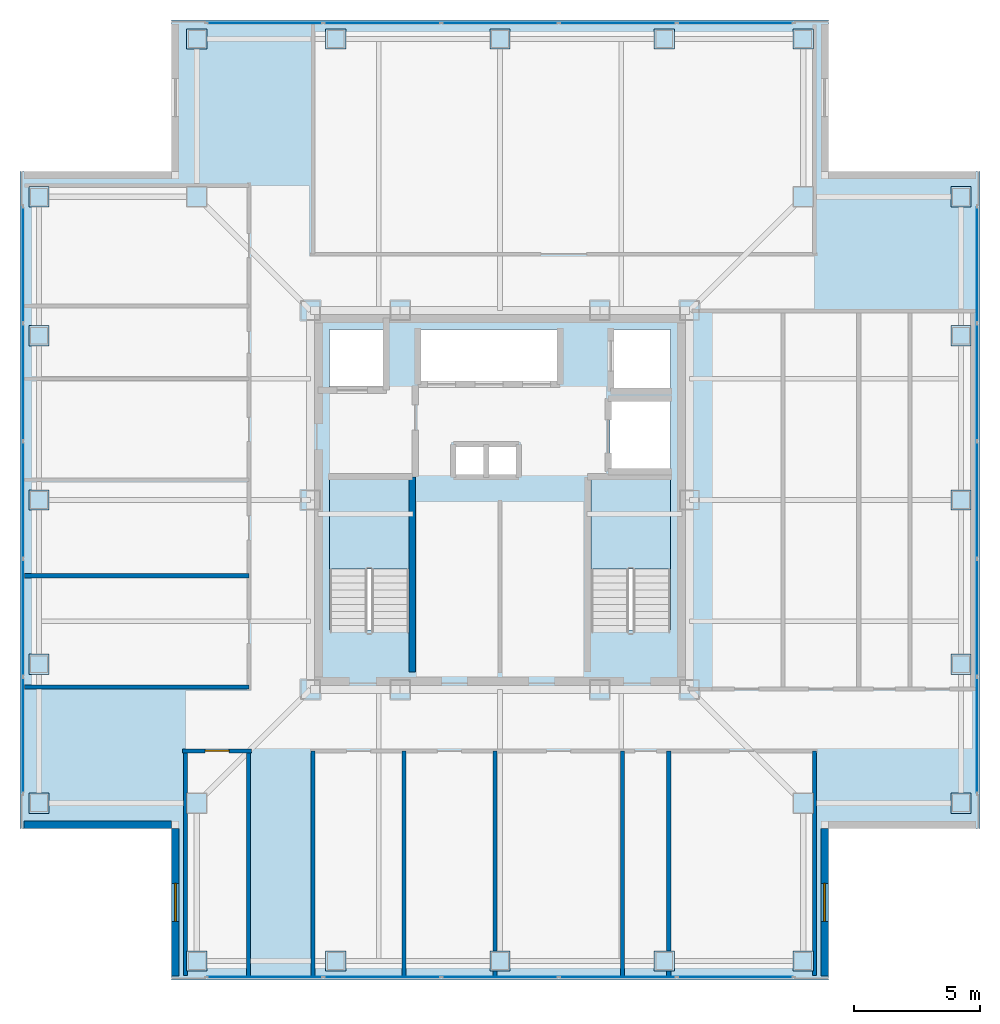
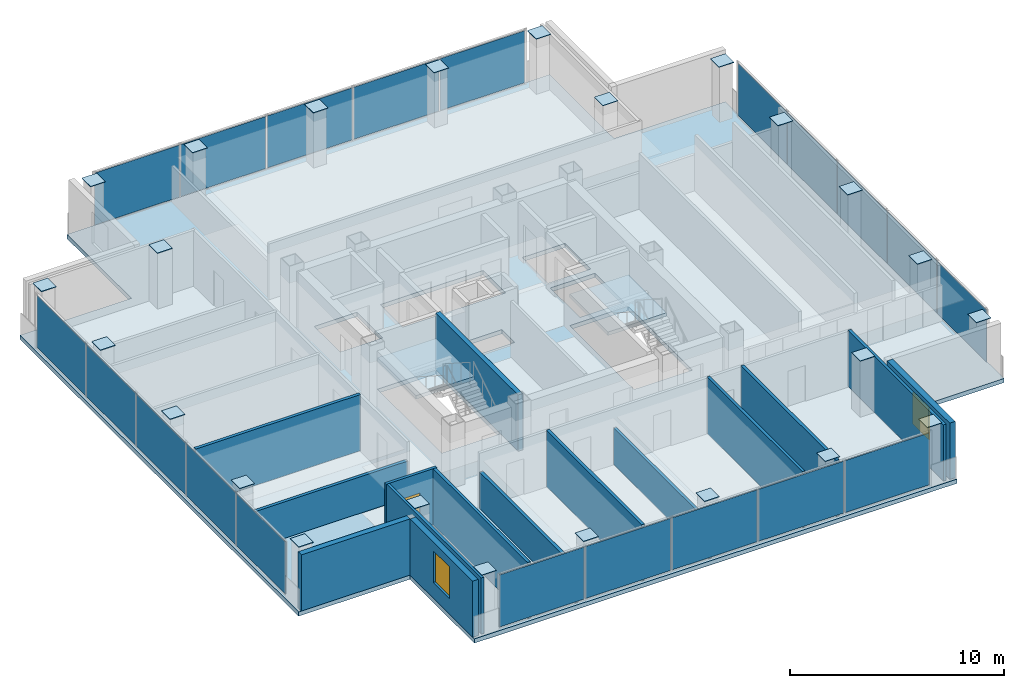
# One storey, part 8 of 16: 44 plates, 15 walls, 3 slabs, 2 windows, 1 door, 3 openings, 6 elements without a shape of their own.
"""IFC4 building model written with IfcOpenShell, lengths in metres."""

from ifc_helpers import new_model, si_unit, direction, frame, frame_2d, origin, origin_2d, place, context, subcontext, project, spatial, polyline, rectangle, outline, extrude, material, layer, layer_set, type_object, element, fill, aggregate, save


model = new_model("IFC4")

# Units and contexts
model_context = context("Model", 3, precision=1e-05, world=origin(), true_north=direction((0.0, 1.0)))
body_context = subcontext(model_context, "Body", "Model", "MODEL_VIEW")
ifc_project = project(units=[si_unit("LENGTHUNIT", "METRE"), si_unit("AREAUNIT", "SQUARE_METRE"), si_unit("VOLUMEUNIT", "CUBIC_METRE"), si_unit("PLANEANGLEUNIT", "RADIAN"), si_unit("MASSUNIT", "GRAM", prefix="KILO")], contexts=[model_context])

# Site, building, storey
site_placement = place(None, origin())
site = spatial("IfcSite", under=ifc_project, at=site_placement, CompositionType="ELEMENT")
building_placement = place(site_placement, origin())
building = spatial("IfcBuilding", under=site, at=building_placement, Name="Trevonay Congress Spire", CompositionType="ELEMENT")
storey_placement = place(building_placement, frame((0.0, 0.0, 297.199951171875)))
storey = spatial("IfcBuildingStorey", under=building, at=storey_placement, Name="L78", CompositionType="ELEMENT", Elevation=297.199951171875)

# Curtain wall, plates
ifc_material_1 = material(Name="Pale Anodised Aluminium EN AW-6063-T6", Category="aluminium")
ifc_layer_1 = layer(ifc_material_1, 0.1650390625, Name="Pale Anodised Aluminium EN AW-6063-T6")
ifc_layer_set_1 = layer_set([ifc_layer_1], Name="Pale Anodised Aluminium EN AW-6063-T6")
curtain_wall_type = type_object("IfcCurtainWallType", Name="CW-SYS05-DIPLOM-PALE-METAL", PredefinedType="NOTDEFINED", material=ifc_layer_set_1)
curtain_wall_1_placement = place(storey_placement, origin())
curtain_wall_1 = element("IfcCurtainWall", 1, at=curtain_wall_1_placement, inside=storey, type_object=curtain_wall_type, Name="L78 S unitised curtain wall", PredefinedType="NOTDEFINED")
ifc_material_2 = material(Name="Insulated Low-E Vision Glass IGU", Category="glass")
ifc_layer_2 = layer(ifc_material_2, 0.035888671875, Name="Insulated Low-E Vision Glass IGU")
ifc_layer_set_2 = layer_set([ifc_layer_2], Name="Insulated Low-E Vision Glass IGU")
plate_type_1 = type_object("IfcPlateType", Name="CW-PANEL-IGU36-SILVER", PredefinedType="CURTAIN_PANEL", material=ifc_layer_set_2)
plate_1_placement = place(storey_placement, frame((-9.304931640625, -18.8798828125, 0.1201171875), z_axis=(0.0, 0.0, 1.0), x_axis=(1.0, 0.0, 0.0)))
plate_1 = element("IfcPlate", 2, at=plate_1_placement, type_object=plate_type_1, Name="CW05 panel 1.1", PredefinedType="CURTAIN_PANEL", context=body_context, shape_type="SweptSolid", body=[
    extrude(rectangle(XDim=4.570068359375, YDim=0.035888671875, at=origin_2d()), origin(), (0.0, 0.0, 1.0), 2.9599609375),
])
plate_2_placement = place(storey_placement, frame((-4.659912109375, -18.8798828125, 0.1201171875), z_axis=(0.0, 0.0, 1.0), x_axis=(1.0, 0.0, 0.0)))
plate_2 = element("IfcPlate", 3, at=plate_2_placement, type_object=plate_type_1, Name="CW05 panel 2.1", PredefinedType="CURTAIN_PANEL", context=body_context, shape_type="SweptSolid", body=[
    extrude(rectangle(XDim=4.60009765625, YDim=0.035888671875, at=origin_2d()), origin(), (0.0, 0.0, 1.0), 2.9599609375),
])
plate_3_placement = place(storey_placement, frame((0.0, -18.8798828125, 0.1201171875), z_axis=(0.0, 0.0, 1.0), x_axis=(1.0, 0.0, 0.0)))
plate_3 = element("IfcPlate", 4, at=plate_3_placement, type_object=plate_type_1, Name="CW05 panel 3.1", PredefinedType="CURTAIN_PANEL", context=body_context, shape_type="SweptSolid", body=[
    extrude(rectangle(XDim=4.60009765625, YDim=0.035888671875, at=origin_2d()), origin(), (0.0, 0.0, 1.0), 2.9599609375),
])
plate_4_placement = place(storey_placement, frame((4.659912109375, -18.8798828125, 0.1201171875), z_axis=(0.0, 0.0, 1.0), x_axis=(1.0, 0.0, 0.0)))
plate_4 = element("IfcPlate", 5, at=plate_4_placement, type_object=plate_type_1, Name="CW05 panel 4.1", PredefinedType="CURTAIN_PANEL", context=body_context, shape_type="SweptSolid", body=[
    extrude(rectangle(XDim=4.60009765625, YDim=0.035888671875, at=origin_2d()), origin(), (0.0, 0.0, 1.0), 2.9599609375),
])
plate_5_placement = place(storey_placement, frame((9.304931640625, -18.8798828125, 0.1201171875), z_axis=(0.0, 0.0, 1.0), x_axis=(1.0, 0.0, 0.0)))
plate_5 = element("IfcPlate", 6, at=plate_5_placement, type_object=plate_type_1, Name="CW05 panel 5.1", PredefinedType="CURTAIN_PANEL", context=body_context, shape_type="SweptSolid", body=[
    extrude(rectangle(XDim=4.570068359375, YDim=0.035888671875, at=origin_2d()), origin(), (0.0, 0.0, 1.0), 2.9599609375),
])
aggregate(curtain_wall_1, [plate_1, plate_2, plate_3, plate_4, plate_5])

curtain_wall_2_placement = place(storey_placement, origin())
curtain_wall_2 = element("IfcCurtainWall", 7, at=curtain_wall_2_placement, inside=storey, type_object=curtain_wall_type, Name="L78 N unitised curtain wall", PredefinedType="NOTDEFINED")
plate_6_placement = place(storey_placement, frame((-9.304931640625, 18.8798828125, 0.1201171875), z_axis=(0.0, 0.0, 1.0), x_axis=(1.0, 0.0, 0.0)))
plate_6 = element("IfcPlate", 8, at=plate_6_placement, type_object=plate_type_1, Name="CW05 panel 1.1", PredefinedType="CURTAIN_PANEL", context=body_context, shape_type="SweptSolid", body=[
    extrude(rectangle(XDim=4.570068359375, YDim=0.035888671875, at=origin_2d()), origin(), (0.0, 0.0, 1.0), 2.9599609375),
])
plate_7_placement = place(storey_placement, frame((-4.659912109375, 18.8798828125, 0.1201171875), z_axis=(0.0, 0.0, 1.0), x_axis=(1.0, 0.0, 0.0)))
plate_7 = element("IfcPlate", 9, at=plate_7_placement, type_object=plate_type_1, Name="CW05 panel 2.1", PredefinedType="CURTAIN_PANEL", context=body_context, shape_type="SweptSolid", body=[
    extrude(rectangle(XDim=4.60009765625, YDim=0.035888671875, at=origin_2d()), origin(), (0.0, 0.0, 1.0), 2.9599609375),
])
plate_8_placement = place(storey_placement, frame((0.0, 18.8798828125, 0.1201171875), z_axis=(0.0, 0.0, 1.0), x_axis=(1.0, 0.0, 0.0)))
plate_8 = element("IfcPlate", 10, at=plate_8_placement, type_object=plate_type_1, Name="CW05 panel 3.1", PredefinedType="CURTAIN_PANEL", context=body_context, shape_type="SweptSolid", body=[
    extrude(rectangle(XDim=4.60009765625, YDim=0.035888671875, at=origin_2d()), origin(), (0.0, 0.0, 1.0), 2.9599609375),
])
plate_9_placement = place(storey_placement, frame((4.659912109375, 18.8798828125, 0.1201171875), z_axis=(0.0, 0.0, 1.0), x_axis=(1.0, 0.0, 0.0)))
plate_9 = element("IfcPlate", 11, at=plate_9_placement, type_object=plate_type_1, Name="CW05 panel 4.1", PredefinedType="CURTAIN_PANEL", context=body_context, shape_type="SweptSolid", body=[
    extrude(rectangle(XDim=4.60009765625, YDim=0.035888671875, at=origin_2d()), origin(), (0.0, 0.0, 1.0), 2.9599609375),
])
plate_10_placement = place(storey_placement, frame((9.304931640625, 18.8798828125, 0.1201171875), z_axis=(0.0, 0.0, 1.0), x_axis=(1.0, 0.0, 0.0)))
plate_10 = element("IfcPlate", 12, at=plate_10_placement, type_object=plate_type_1, Name="CW05 panel 5.1", PredefinedType="CURTAIN_PANEL", context=body_context, shape_type="SweptSolid", body=[
    extrude(rectangle(XDim=4.570068359375, YDim=0.035888671875, at=origin_2d()), origin(), (0.0, 0.0, 1.0), 2.9599609375),
])
aggregate(curtain_wall_2, [plate_6, plate_7, plate_8, plate_9, plate_10])

curtain_wall_3_placement = place(storey_placement, origin())
curtain_wall_3 = element("IfcCurtainWall", 13, at=curtain_wall_3_placement, inside=storey, type_object=curtain_wall_type, Name="L78 W unitised curtain wall", PredefinedType="NOTDEFINED")
plate_11_placement = place(storey_placement, frame((-18.8798828125, -9.304931640625, 0.1201171875), z_axis=(0.0, 0.0, 1.0), x_axis=(0.0, 1.0, 0.0)))
plate_11 = element("IfcPlate", 14, at=plate_11_placement, type_object=plate_type_1, Name="CW05 panel 1.1", PredefinedType="CURTAIN_PANEL", context=body_context, shape_type="SweptSolid", body=[
    extrude(rectangle(XDim=4.570068359375, YDim=0.035888671875, at=origin_2d()), origin(), (0.0, 0.0, 1.0), 2.9599609375),
])
plate_12_placement = place(storey_placement, frame((-18.8798828125, -4.659912109375, 0.1201171875), z_axis=(0.0, 0.0, 1.0), x_axis=(0.0, 1.0, 0.0)))
plate_12 = element("IfcPlate", 15, at=plate_12_placement, type_object=plate_type_1, Name="CW05 panel 2.1", PredefinedType="CURTAIN_PANEL", context=body_context, shape_type="SweptSolid", body=[
    extrude(rectangle(XDim=4.60009765625, YDim=0.035888671875, at=origin_2d()), origin(), (0.0, 0.0, 1.0), 2.9599609375),
])
plate_13_placement = place(storey_placement, frame((-18.8798828125, 0.0, 0.1201171875), z_axis=(0.0, 0.0, 1.0), x_axis=(0.0, 1.0, 0.0)))
plate_13 = element("IfcPlate", 16, at=plate_13_placement, type_object=plate_type_1, Name="CW05 panel 3.1", PredefinedType="CURTAIN_PANEL", context=body_context, shape_type="SweptSolid", body=[
    extrude(rectangle(XDim=4.60009765625, YDim=0.035888671875, at=origin_2d()), origin(), (0.0, 0.0, 1.0), 2.9599609375),
])
plate_14_placement = place(storey_placement, frame((-18.8798828125, 4.659912109375, 0.1201171875), z_axis=(0.0, 0.0, 1.0), x_axis=(0.0, 1.0, 0.0)))
plate_14 = element("IfcPlate", 17, at=plate_14_placement, type_object=plate_type_1, Name="CW05 panel 4.1", PredefinedType="CURTAIN_PANEL", context=body_context, shape_type="SweptSolid", body=[
    extrude(rectangle(XDim=4.60009765625, YDim=0.035888671875, at=origin_2d()), origin(), (0.0, 0.0, 1.0), 2.9599609375),
])
plate_15_placement = place(storey_placement, frame((-18.8798828125, 9.304931640625, 0.1201171875), z_axis=(0.0, 0.0, 1.0), x_axis=(0.0, 1.0, 0.0)))
plate_15 = element("IfcPlate", 18, at=plate_15_placement, type_object=plate_type_1, Name="CW05 panel 5.1", PredefinedType="CURTAIN_PANEL", context=body_context, shape_type="SweptSolid", body=[
    extrude(rectangle(XDim=4.570068359375, YDim=0.035888671875, at=origin_2d()), origin(), (0.0, 0.0, 1.0), 2.9599609375),
])
aggregate(curtain_wall_3, [plate_11, plate_12, plate_13, plate_14, plate_15])

curtain_wall_4_placement = place(storey_placement, origin())
curtain_wall_4 = element("IfcCurtainWall", 19, at=curtain_wall_4_placement, inside=storey, type_object=curtain_wall_type, Name="L78 E unitised curtain wall", PredefinedType="NOTDEFINED")
plate_16_placement = place(storey_placement, frame((18.8798828125, -9.304931640625, 0.1201171875), z_axis=(0.0, 0.0, 1.0), x_axis=(0.0, 1.0, 0.0)))
plate_16 = element("IfcPlate", 20, at=plate_16_placement, type_object=plate_type_1, Name="CW05 panel 1.1", PredefinedType="CURTAIN_PANEL", context=body_context, shape_type="SweptSolid", body=[
    extrude(rectangle(XDim=4.570068359375, YDim=0.035888671875, at=origin_2d()), origin(), (0.0, 0.0, 1.0), 2.9599609375),
])
plate_17_placement = place(storey_placement, frame((18.8798828125, -4.659912109375, 0.1201171875), z_axis=(0.0, 0.0, 1.0), x_axis=(0.0, 1.0, 0.0)))
plate_17 = element("IfcPlate", 21, at=plate_17_placement, type_object=plate_type_1, Name="CW05 panel 2.1", PredefinedType="CURTAIN_PANEL", context=body_context, shape_type="SweptSolid", body=[
    extrude(rectangle(XDim=4.60009765625, YDim=0.035888671875, at=origin_2d()), origin(), (0.0, 0.0, 1.0), 2.9599609375),
])
plate_18_placement = place(storey_placement, frame((18.8798828125, 0.0, 0.1201171875), z_axis=(0.0, 0.0, 1.0), x_axis=(0.0, 1.0, 0.0)))
plate_18 = element("IfcPlate", 22, at=plate_18_placement, type_object=plate_type_1, Name="CW05 panel 3.1", PredefinedType="CURTAIN_PANEL", context=body_context, shape_type="SweptSolid", body=[
    extrude(rectangle(XDim=4.60009765625, YDim=0.035888671875, at=origin_2d()), origin(), (0.0, 0.0, 1.0), 2.9599609375),
])
plate_19_placement = place(storey_placement, frame((18.8798828125, 4.659912109375, 0.1201171875), z_axis=(0.0, 0.0, 1.0), x_axis=(0.0, 1.0, 0.0)))
plate_19 = element("IfcPlate", 23, at=plate_19_placement, type_object=plate_type_1, Name="CW05 panel 4.1", PredefinedType="CURTAIN_PANEL", context=body_context, shape_type="SweptSolid", body=[
    extrude(rectangle(XDim=4.60009765625, YDim=0.035888671875, at=origin_2d()), origin(), (0.0, 0.0, 1.0), 2.9599609375),
])
plate_20_placement = place(storey_placement, frame((18.8798828125, 9.304931640625, 0.1201171875), z_axis=(0.0, 0.0, 1.0), x_axis=(0.0, 1.0, 0.0)))
plate_20 = element("IfcPlate", 24, at=plate_20_placement, type_object=plate_type_1, Name="CW05 panel 5.1", PredefinedType="CURTAIN_PANEL", context=body_context, shape_type="SweptSolid", body=[
    extrude(rectangle(XDim=4.570068359375, YDim=0.035888671875, at=origin_2d()), origin(), (0.0, 0.0, 1.0), 2.9599609375),
])
aggregate(curtain_wall_4, [plate_16, plate_17, plate_18, plate_19, plate_20])

# Plates
ifc_material_3 = material(Name="Steel ASTM A572 Grade 50", Category="steel")
ifc_layer_3 = layer(ifc_material_3, 0.030029296875, Name="Steel ASTM A572 Grade 50")
ifc_layer_set_3 = layer_set([ifc_layer_3], Name="Steel ASTM A572 Grade 50")
plate_type_2 = type_object("IfcPlateType", Name="PLT-ENDCAP-EXT-80", PredefinedType="USERDEFINED", material=ifc_layer_set_3)
for number, where, z_axis, x_axis, name in (
    (25, (-12.0, -18.25, 3.18505859375), (0.0, 0.0, 1.0), (1.0, 0.0, 0.0), "L78 hollow column end-cap plate at TS-1"),
    (26, (-12.0, 18.25, 3.18505859375), (0.0, 0.0, 1.0), (1.0, 0.0, 0.0), "L78 hollow column end-cap plate at TN-1"),
    (27, (-18.25, -12.0, 3.18505859375), (0.0, 0.0, 1.0), (1.0, 0.0, 0.0), "L78 hollow column end-cap plate at TW-1"),
    (28, (18.25, -12.0, 3.18505859375), (0.0, 0.0, 1.0), (1.0, 0.0, 0.0), "L78 hollow column end-cap plate at TE-1"),
    (29, (-6.5, -18.25, 3.18505859375), (0.0, 0.0, 1.0), (1.0, 0.0, 0.0), "L78 hollow column end-cap plate at TS-2"),
    (30, (-6.5, 18.25, 3.18505859375), (0.0, 0.0, 1.0), (1.0, 0.0, 0.0), "L78 hollow column end-cap plate at TN-2"),
    (31, (-18.25, -6.5, 3.18505859375), (0.0, 0.0, 1.0), (1.0, 0.0, 0.0), "L78 hollow column end-cap plate at TW-2"),
    (32, (18.25, -6.5, 3.18505859375), (0.0, 0.0, 1.0), (1.0, 0.0, 0.0), "L78 hollow column end-cap plate at TE-2"),
    (33, (0.0, -18.25, 3.18505859375), (0.0, 0.0, 1.0), (1.0, 0.0, 0.0), "L78 hollow column end-cap plate at TS-3"),
    (34, (0.0, 18.25, 3.18505859375), (0.0, 0.0, 1.0), (1.0, 0.0, 0.0), "L78 hollow column end-cap plate at TN-3"),
    (35, (-18.25, 0.0, 3.18505859375), (0.0, 0.0, 1.0), (1.0, 0.0, 0.0), "L78 hollow column end-cap plate at TW-3"),
    (36, (18.25, 0.0, 3.18505859375), (0.0, 0.0, 1.0), (1.0, 0.0, 0.0), "L78 hollow column end-cap plate at TE-3"),
    (37, (6.5, -18.25, 3.18505859375), (0.0, 0.0, 1.0), (1.0, 0.0, 0.0), "L78 hollow column end-cap plate at TS-4"),
    (38, (6.5, 18.25, 3.18505859375), (0.0, 0.0, 1.0), (1.0, 0.0, 0.0), "L78 hollow column end-cap plate at TN-4"),
    (39, (-18.25, 6.5, 3.18505859375), (0.0, 0.0, 1.0), (1.0, 0.0, 0.0), "L78 hollow column end-cap plate at TW-4"),
    (40, (18.25, 6.5, 3.18505859375), (0.0, 0.0, 1.0), (1.0, 0.0, 0.0), "L78 hollow column end-cap plate at TE-4"),
    (41, (12.0, -18.25, 3.18505859375), (0.0, 0.0, 1.0), (1.0, 0.0, 0.0), "L78 hollow column end-cap plate at TS-5"),
    (42, (12.0, 18.25, 3.18505859375), (0.0, 0.0, 1.0), (1.0, 0.0, 0.0), "L78 hollow column end-cap plate at TN-5"),
    (43, (-18.25, 12.0, 3.18505859375), (0.0, 0.0, 1.0), (1.0, 0.0, 0.0), "L78 hollow column end-cap plate at TW-5"),
    (44, (18.25, 12.0, 3.18505859375), (0.0, 0.0, 1.0), (1.0, 0.0, 0.0), "L78 hollow column end-cap plate at TE-5"),
    (45, (-12.0, -12.0, 3.18505859375), (0.0, 0.0, 1.0), (1.0, 0.0, 0.0), "L78 hollow column end-cap plate at NC-SW"),
    (46, (12.0, -12.0, 3.18505859375), (0.0, 0.0, 1.0), (1.0, 0.0, 0.0), "L78 hollow column end-cap plate at NC-SE"),
    (47, (12.0, 12.0, 3.18505859375), (0.0, 0.0, 1.0), (1.0, 0.0, 0.0), "L78 hollow column end-cap plate at NC-NE"),
    (48, (-12.0, 12.0, 3.18505859375), (0.0, 0.0, 1.0), (1.0, 0.0, 0.0), "L78 hollow column end-cap plate at NC-NW"),
):
    element("IfcPlate", number, at=place(storey_placement, frame(where, z_axis=z_axis, x_axis=x_axis)), inside=storey, type_object=plate_type_2, Name=name, ObjectType="CAP_PLATE", PredefinedType="USERDEFINED", context=body_context, shape_type="SweptSolid", body=[
        extrude(rectangle(XDim=0.800048828125, YDim=0.800048828125, at=origin_2d()), origin(), (0.0, 0.0, 1.0), 0.030029296875),
    ])

# Stair, slab
ifc_material_4 = material(Name="Concrete C40/50", Category="concrete")
stair_type_1 = type_object("IfcStairType", Name="STR-ST-1", PredefinedType="HALF_TURN_STAIR", material=ifc_material_4)
stair_1_placement = place(storey_placement, origin())
stair_1 = element("IfcStair", 49, at=stair_1_placement, inside=storey, type_object=stair_type_1, Name="L78 Protected Exit Stair ST-1", PredefinedType="HALF_TURN_STAIR")
ifc_layer_4 = layer(ifc_material_4, 0.199951171875, Name="Concrete C40/50")
ifc_layer_set_4 = layer_set([ifc_layer_4], Name="Concrete C40/50")
slab_type_1 = type_object("IfcSlabType", Name="SLB-STAIR-LAND-200", PredefinedType="LANDING", material=ifc_layer_set_4)
slab_1_placement = place(storey_placement, frame((0.0, 0.0, 1.60009765625)))
slab_1 = element("IfcSlab", 50, at=slab_1_placement, type_object=slab_type_1, Name="ST-1 landing 1", PredefinedType="LANDING", context=body_context, shape_type="SweptSolid", body=[
    extrude(outline(polyline([(-3.60009765625, -2.72998046875), (-3.60009765625, 0.85009765625), (-6.75, 0.85009765625), (-6.75, -2.72998046875), (-3.60009765625, -2.72998046875)])), origin(), (0.0, 0.0, 1.0), 0.199951171875),
])
aggregate(stair_1, [slab_1])

stair_type_2 = type_object("IfcStairType", Name="STR-ST-2", PredefinedType="HALF_TURN_STAIR", material=ifc_material_4)
stair_2_placement = place(storey_placement, origin())
stair_2 = element("IfcStair", 51, at=stair_2_placement, inside=storey, type_object=stair_type_2, Name="L78 Protected Exit Stair ST-2", PredefinedType="HALF_TURN_STAIR")
slab_2_placement = place(storey_placement, frame((0.0, 0.0, 1.60009765625)))
slab_2 = element("IfcSlab", 52, at=slab_2_placement, type_object=slab_type_1, Name="ST-2 landing 1", PredefinedType="LANDING", context=body_context, shape_type="SweptSolid", body=[
    extrude(outline(polyline([(6.75, -2.72998046875), (6.75, 0.85009765625), (3.60009765625, 0.85009765625), (3.60009765625, -2.72998046875), (6.75, -2.72998046875)])), origin(), (0.0, 0.0, 1.0), 0.199951171875),
])
aggregate(stair_2, [slab_2])

# Slab
ifc_layer_5 = layer(ifc_material_4, 0.239990234375, Name="Concrete C40/50")
ifc_layer_set_5 = layer_set([ifc_layer_5], Name="Concrete C40/50")
slab_type_2 = type_object("IfcSlabType", Name="SLB-TOW2-240", PredefinedType="FLOOR", material=ifc_layer_set_5)
slab_3_placement = place(storey_placement, frame((0.0, 0.0, -0.239990234375)))
element("IfcSlab", 53, at=slab_3_placement, inside=storey, type_object=slab_type_2, Name="L78 structural floor slab", PredefinedType="FLOOR", context=body_context, shape_type="SweptSolid", body=[
    extrude(outline(polyline([(-13.0, -19.0), (13.0, -19.0), (13.0, -13.0), (19.0, -13.0), (19.0, 13.0), (13.0, 13.0), (13.0, 19.0), (-13.0, 19.0), (-13.0, 13.0), (-19.0, 13.0), (-19.0, -13.0), (-13.0, -13.0), (-13.0, -19.0)]), holes=[polyline([(-3.60009765625, -5.14990234375), (-3.60009765625, 0.85009765625), (-6.75, 0.85009765625), (-6.75, -5.14990234375), (-3.60009765625, -5.14990234375)]), polyline([(6.75, -5.14990234375), (6.75, 0.85009765625), (3.60009765625, 0.85009765625), (3.60009765625, -5.14990234375), (6.75, -5.14990234375)]), polyline([(-3.199951171875, 4.64990234375), (2.340087890625, 4.64990234375), (2.340087890625, 6.75), (-3.199951171875, 6.75), (-3.199951171875, 4.64990234375)]), polyline([(-6.75, 4.35009765625), (-4.449951171875, 4.35009765625), (-4.449951171875, 6.75), (-6.75, 6.75), (-6.75, 4.35009765625)]), polyline([(4.449951171875, 4.35009765625), (6.75, 4.35009765625), (6.75, 6.75), (4.449951171875, 6.75), (4.449951171875, 4.35009765625)]), polyline([(4.35009765625, 1.199951171875), (6.75, 1.199951171875), (6.75, 3.949951171875), (4.35009765625, 3.949951171875), (4.35009765625, 1.199951171875)]), polyline([(-1.800048828125, 0.949951171875), (0.699951171875, 0.949951171875), (0.699951171875, 2.14990234375), (-1.800048828125, 2.14990234375), (-1.800048828125, 0.949951171875)])]), origin(), (0.0, 0.0, 1.0), 0.239990234375),
])

# Wall, opening, door
ifc_layer_6 = layer(ifc_material_4, 0.14990234375, Name="Concrete C40/50")
ifc_layer_set_6 = layer_set([ifc_layer_6], Name="Concrete C40/50")
wall_type_1 = type_object("IfcWallType", Name="WAL-CORR-150", PredefinedType="PARTITIONING", material=ifc_layer_set_6)
wall_1_placement = place(storey_placement, frame((-12.570068359375, -9.929931640625, 0.0), z_axis=(0.0, 0.0, 1.0), x_axis=(1.0, 0.0, 0.0)))
wall_1 = element("IfcWall", 54, at=wall_1_placement, inside=storey, type_object=wall_type_1, Name="L78 interior wall WP-L78SW-COR", PredefinedType="PARTITIONING", context=body_context, shape_type="SweptSolid", body=[
    extrude(rectangle(XDim=2.739990234375, YDim=0.14990234375, at=frame_2d((1.3701171875, 0.0))), origin(), (0.0, 0.0, 1.0), 3.199951171875),
])
opening_1_placement = place(wall_1_placement, frame((0.89501953125, 0.0, 0.0)))
opening_1 = element("IfcOpeningElement", 55, at=opening_1_placement, cuts=wall_1, Name="Opening D07", PredefinedType="OPENING", context=body_context, shape_type="SweptSolid", body=[
    extrude(rectangle(XDim=0.949951171875, YDim=2.06005859375, at=frame_2d((0.47509765625, 1.030029296875))), frame((0.0, 0.0849609375, 0.0), z_axis=(0.0, -1.0, 0.0), x_axis=(1.0, 0.0, 0.0)), (0.0, 0.0, 1.0), 0.169921875),
])
door_type = type_object("IfcDoorType", Name="DOR-OFFICE-95", OperationType="NOTDEFINED", PredefinedType="DOOR", material=ifc_material_1)
door_placement = place(opening_1_placement, origin())
door = element("IfcDoor", 56, at=door_placement, inside=storey, type_object=door_type, Name="L78 Sommelier Reserve Tasting Kitchen Door", OperationType="SINGLE_SWING_RIGHT", OverallHeight=2.06005859375, OverallWidth=0.949951171875, PredefinedType="DOOR", context=body_context, shape_type="SweptSolid", body=[
    extrude(rectangle(XDim=0.949951171875, YDim=2.06005859375, at=frame_2d((0.47509765625, 1.030029296875))), frame((0.0, 0.02490234375, 0.0), z_axis=(0.0, -1.0, 0.0), x_axis=(1.0, 0.0, 0.0)), (0.0, 0.0, 1.0), 0.050048828125),
])
fill(opening_1, door)

# Wall, opening, window
ifc_material_5 = material(Name="Precast concrete C40/50", Category="concrete")
ifc_layer_7 = layer(ifc_material_5, 0.300048828125, Name="Precast concrete C40/50")
ifc_layer_set_7 = layer_set([ifc_layer_7], Name="Precast concrete C40/50")
wall_type_2 = type_object("IfcWallType", Name="WAL-EXT-PRECAST-300", PredefinedType="SOLIDWALL", material=ifc_layer_set_7)
wall_2_placement = place(storey_placement, frame((-12.85009765625, -18.85009765625, 0.0), z_axis=(0.0, 0.0, 1.0), x_axis=(0.0, 1.0, 0.0)))
wall_2 = element("IfcWall", 57, at=wall_2_placement, inside=storey, type_object=wall_type_2, Name="L78 SW re-entrant notch exterior wall 1", PredefinedType="SOLIDWALL", context=body_context, shape_type="SweptSolid", body=[
    extrude(rectangle(XDim=5.85009765625, YDim=0.300048828125, at=frame_2d((2.925048828125, 0.0))), origin(), (0.0, 0.0, 1.0), 3.199951171875),
])
opening_2_placement = place(wall_2_placement, frame((2.175048828125, 0.0, 0.89990234375)))
opening_2 = element("IfcOpeningElement", 58, at=opening_2_placement, cuts=wall_2, Name="Opening WN03", PredefinedType="OPENING", context=body_context, shape_type="SweptSolid", body=[
    extrude(rectangle(XDim=1.5, YDim=1.800048828125, at=frame_2d((0.75, 0.89990234375))), frame((0.0, 0.16015625, 0.0), z_axis=(0.0, -1.0, 0.0), x_axis=(1.0, 0.0, 0.0)), (0.0, 0.0, 1.0), 0.320068359375),
])
window_type = type_object("IfcWindowType", Name="WIN-NOTCH-150X180", PartitioningType="SINGLE_PANEL", PredefinedType="WINDOW", material=ifc_material_2)
window_1_placement = place(opening_2_placement, origin())
window_1 = element("IfcWindow", 59, at=window_1_placement, inside=storey, type_object=window_type, Name="L78 SW corner notch window", OverallHeight=1.800048828125, OverallWidth=1.5, PartitioningType="SINGLE_PANEL", PredefinedType="WINDOW", context=body_context, shape_type="SweptSolid", body=[
    extrude(rectangle(XDim=1.5, YDim=1.800048828125, at=frame_2d((0.75, 0.89990234375))), frame((0.0, 0.030029296875, 0.0), z_axis=(0.0, -1.0, 0.0), x_axis=(1.0, 0.0, 0.0)), (0.0, 0.0, 1.0), 0.06005859375),
])
fill(opening_2, window_1)

# Wall
wall_3_placement = place(storey_placement, frame((-18.85009765625, -12.85009765625, 0.0), z_axis=(0.0, 0.0, 1.0), x_axis=(1.0, 0.0, 0.0)))
element("IfcWall", 60, at=wall_3_placement, inside=storey, type_object=wall_type_2, Name="L78 SW re-entrant notch exterior wall 2", PredefinedType="SOLIDWALL", context=body_context, shape_type="SweptSolid", body=[
    extrude(rectangle(XDim=5.85009765625, YDim=0.300048828125, at=frame_2d((2.925048828125, 0.0))), origin(), (0.0, 0.0, 1.0), 3.199951171875),
])

# Wall, opening, window
wall_4_placement = place(storey_placement, frame((12.85009765625, -18.85009765625, 0.0), z_axis=(0.0, 0.0, 1.0), x_axis=(0.0, 1.0, 0.0)))
wall_4 = element("IfcWall", 61, at=wall_4_placement, inside=storey, type_object=wall_type_2, Name="L78 SE re-entrant notch exterior wall 1", PredefinedType="SOLIDWALL", context=body_context, shape_type="SweptSolid", body=[
    extrude(rectangle(XDim=5.85009765625, YDim=0.300048828125, at=frame_2d((2.925048828125, 0.0))), origin(), (0.0, 0.0, 1.0), 3.199951171875),
])
opening_3_placement = place(wall_4_placement, frame((2.175048828125, 0.0, 0.89990234375)))
opening_3 = element("IfcOpeningElement", 62, at=opening_3_placement, cuts=wall_4, Name="Opening WN03", PredefinedType="OPENING", context=body_context, shape_type="SweptSolid", body=[
    extrude(rectangle(XDim=1.5, YDim=1.800048828125, at=frame_2d((0.75, 0.89990234375))), frame((0.0, 0.16015625, 0.0), z_axis=(0.0, -1.0, 0.0), x_axis=(1.0, 0.0, 0.0)), (0.0, 0.0, 1.0), 0.320068359375),
])
window_2_placement = place(opening_3_placement, origin())
window_2 = element("IfcWindow", 63, at=window_2_placement, inside=storey, type_object=window_type, Name="L78 SE corner notch window", OverallHeight=1.800048828125, OverallWidth=1.5, PartitioningType="SINGLE_PANEL", PredefinedType="WINDOW", context=body_context, shape_type="SweptSolid", body=[
    extrude(rectangle(XDim=1.5, YDim=1.800048828125, at=frame_2d((0.75, 0.89990234375))), frame((0.0, 0.030029296875, 0.0), z_axis=(0.0, -1.0, 0.0), x_axis=(1.0, 0.0, 0.0)), (0.0, 0.0, 1.0), 0.06005859375),
])
fill(opening_3, window_2)

# Walls
ifc_layer_8 = layer(ifc_material_4, 0.14990234375, Name="Concrete C40/50")
ifc_layer_set_8 = layer_set([ifc_layer_8], Name="Concrete C40/50")
wall_type_3 = type_object("IfcWallType", Name="WAL-PART-150", PredefinedType="PARTITIONING", material=ifc_layer_set_8)
for number, where, z_axis, x_axis, name in (
    (64, (-12.449951171875, -18.820068359375, 0.0), (0.0, 0.0, 1.0), (0.0, 1.0, 0.0), "L78 interior wall WP-L78SW-DIV1"),
    (65, (-9.949951171875, -18.820068359375, 0.0), (0.0, 0.0, 1.0), (0.0, 1.0, 0.0), "L78 interior wall WP-L78SW-DIV2"),
):
    element("IfcWall", number, at=place(storey_placement, frame(where, z_axis=z_axis, x_axis=x_axis)), inside=storey, type_object=wall_type_3, Name=name, PredefinedType="PARTITIONING", context=body_context, shape_type="SweptSolid", body=[
        extrude(rectangle(XDim=8.89013671875, YDim=0.14990234375, at=frame_2d((4.445068359375, 0.0))), origin(), (0.0, 0.0, 1.0), 3.199951171875),
    ])
wall_5_placement = place(storey_placement, frame((-0.199951171875, -18.820068359375, 0.0), z_axis=(0.0, 0.0, 1.0), x_axis=(0.0, 1.0, 0.0)))
element("IfcWall", 66, at=wall_5_placement, inside=storey, type_object=wall_type_3, Name="L78 interior wall WP-L78SE-DIV3", PredefinedType="PARTITIONING", context=body_context, shape_type="SweptSolid", body=[
    extrude(rectangle(XDim=8.89013671875, YDim=0.14990234375, at=frame_2d((4.445068359375, 0.0))), origin(), (0.0, 0.0, 1.0), 2.074951171875),
])
for number, where, z_axis, x_axis, name in (
    (67, (4.85009765625, -18.820068359375, 0.0), (0.0, 0.0, 1.0), (0.0, 1.0, 0.0), "L78 interior wall WP-L78SE-DIV4"),
    (68, (12.449951171875, -18.820068359375, 0.0), (0.0, 0.0, 1.0), (0.0, 1.0, 0.0), "L78 interior wall WP-L78SE-DIV5"),
):
    element("IfcWall", number, at=place(storey_placement, frame(where, z_axis=z_axis, x_axis=x_axis)), inside=storey, type_object=wall_type_3, Name=name, PredefinedType="PARTITIONING", context=body_context, shape_type="SweptSolid", body=[
        extrude(rectangle(XDim=8.89013671875, YDim=0.14990234375, at=frame_2d((4.445068359375, 0.0))), origin(), (0.0, 0.0, 1.0), 3.199951171875),
    ])
ifc_layer_9 = layer(ifc_material_4, 0.25, Name="Concrete C40/50")
ifc_layer_set_9 = layer_set([ifc_layer_9], Name="Concrete C40/50")
wall_type_4 = type_object("IfcWallType", Name="WAL-SHAFT-LB-250", PredefinedType="SHEAR", material=ifc_layer_set_9)
wall_6_placement = place(storey_placement, frame((-3.469970703125, -6.800048828125, 0.0), z_axis=(0.0, 0.0, 1.0), x_axis=(0.0, 1.0, 0.0)))
element("IfcWall", 69, at=wall_6_placement, inside=storey, type_object=wall_type_4, Name="L78 interior shaft wall WSH-L78-ST1-E", PredefinedType="SHEAR", context=body_context, shape_type="SweptSolid", body=[
    extrude(rectangle(XDim=7.719970703125, YDim=0.25, at=frame_2d((3.85986328125, 0.0))), origin(), (0.0, 0.0, 1.0), 3.199951171875),
])
ifc_layer_10 = layer(ifc_material_4, 0.1650390625, Name="Concrete C40/50")
ifc_layer_set_10 = layer_set([ifc_layer_10], Name="Concrete C40/50")
wall_type_5 = type_object("IfcWallType", Name="WAL-WET-165", PredefinedType="PLUMBINGWALL", material=ifc_layer_set_10)
wall_7_placement = place(storey_placement, frame((6.679931640625, -18.820068359375, 0.0), z_axis=(0.0, 0.0, 1.0), x_axis=(0.0, 1.0, 0.0)))
element("IfcWall", 70, at=wall_7_placement, inside=storey, type_object=wall_type_5, Name="L78 interior wall WP-L78SE-WCS4", PredefinedType="PLUMBINGWALL", context=body_context, shape_type="SweptSolid", body=[
    extrude(rectangle(XDim=8.89013671875, YDim=0.1650390625, at=frame_2d((4.445068359375, 0.0))), origin(), (0.0, 0.0, 1.0), 3.199951171875),
])
wall_8_placement = place(storey_placement, frame((-7.39990234375, -18.820068359375, 0.0), z_axis=(0.0, 0.0, 1.0), x_axis=(0.0, 1.0, 0.0)))
element("IfcWall", 71, at=wall_8_placement, inside=storey, type_object=wall_type_5, Name="L78 interior wall WP-L78SE-DIV1", PredefinedType="PLUMBINGWALL", context=body_context, shape_type="SweptSolid", body=[
    extrude(rectangle(XDim=8.89013671875, YDim=0.1650390625, at=frame_2d((4.445068359375, 0.0))), origin(), (0.0, 0.0, 1.0), 2.074951171875),
])
wall_9_placement = place(storey_placement, frame((-3.800048828125, -18.820068359375, 0.0), z_axis=(0.0, 0.0, 1.0), x_axis=(0.0, 1.0, 0.0)))
element("IfcWall", 72, at=wall_9_placement, inside=storey, type_object=wall_type_5, Name="L78 interior wall WP-L78SE-DIV2", PredefinedType="PLUMBINGWALL", context=body_context, shape_type="SweptSolid", body=[
    extrude(rectangle(XDim=8.89013671875, YDim=0.1650390625, at=frame_2d((4.445068359375, 0.0))), origin(), (0.0, 0.0, 1.0), 3.199951171875),
])
wall_10_placement = place(storey_placement, frame((-18.820068359375, -7.39990234375, 0.0), z_axis=(0.0, 0.0, 1.0), x_axis=(1.0, 0.0, 0.0)))
element("IfcWall", 73, at=wall_10_placement, inside=storey, type_object=wall_type_5, Name="L78 interior wall WP-L78NW-DIV1", PredefinedType="PLUMBINGWALL", context=body_context, shape_type="SweptSolid", body=[
    extrude(rectangle(XDim=8.89013671875, YDim=0.1650390625, at=frame_2d((4.445068359375, 0.0))), origin(), (0.0, 0.0, 1.0), 2.074951171875),
])
wall_11_placement = place(storey_placement, frame((-18.820068359375, -3.0, 0.0), z_axis=(0.0, 0.0, 1.0), x_axis=(1.0, 0.0, 0.0)))
element("IfcWall", 74, at=wall_11_placement, inside=storey, type_object=wall_type_5, Name="L78 interior wall WP-L78NW-DIV2", PredefinedType="PLUMBINGWALL", context=body_context, shape_type="SweptSolid", body=[
    extrude(rectangle(XDim=8.89013671875, YDim=0.1650390625, at=frame_2d((4.445068359375, 0.0))), origin(), (0.0, 0.0, 1.0), 3.199951171875),
])

save(model, "model.ifc")
